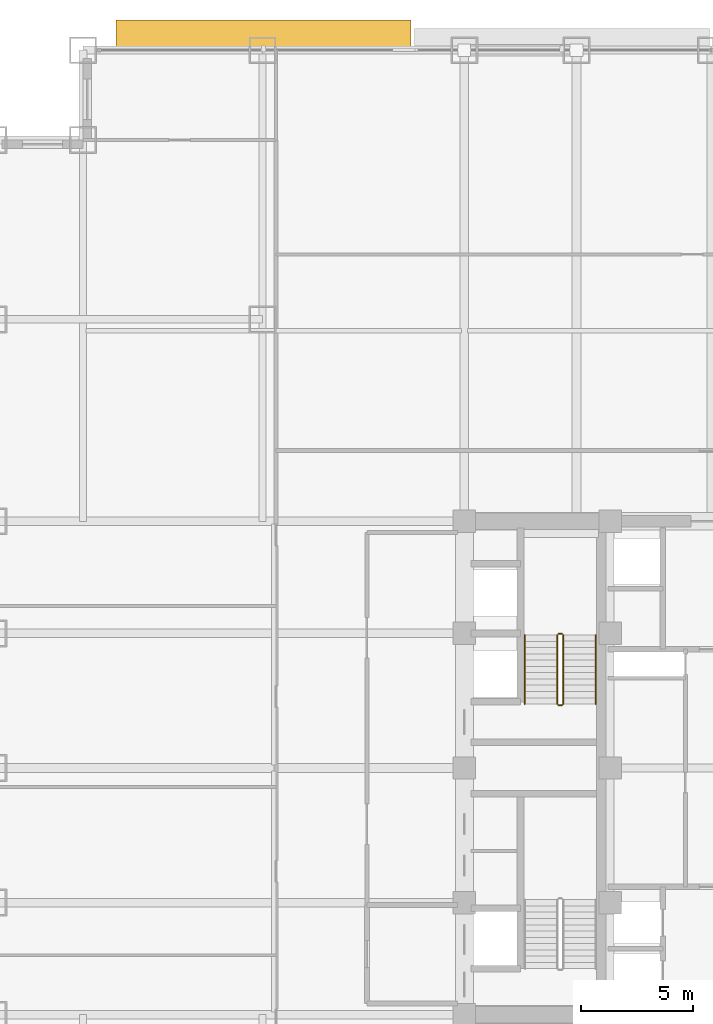
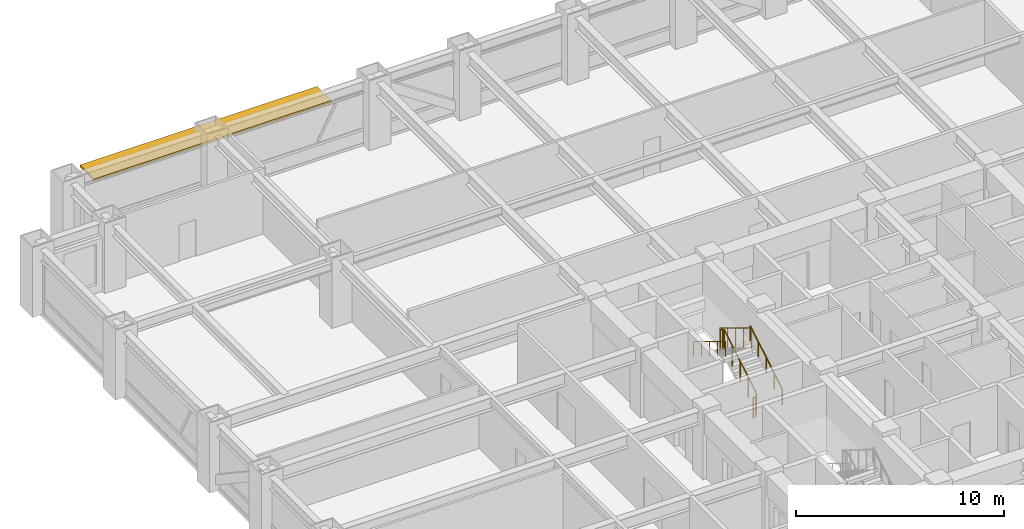
# One storey, part 31 of 32: 6 railings, 1 shading device.
"""IFC4 building model written with IfcOpenShell, lengths in metres."""

from ifc_helpers import new_model, si_unit, direction, frame, origin, origin_2d, place, context, subcontext, project, spatial, rectangle, circle, extrude, source, transform, mapped, material, layer, layer_set, type_object, element, save


model = new_model("IFC4")

# Units and contexts
model_context = context("Model", 3, precision=1e-05, world=origin(), true_north=direction((0.0, 1.0)))
body_context = subcontext(model_context, "Body", "Model", "MODEL_VIEW")
ifc_project = project(units=[si_unit("LENGTHUNIT", "METRE"), si_unit("AREAUNIT", "SQUARE_METRE"), si_unit("VOLUMEUNIT", "CUBIC_METRE"), si_unit("PLANEANGLEUNIT", "RADIAN"), si_unit("MASSUNIT", "GRAM", prefix="KILO")], contexts=[model_context])

# Site, building, storey
site_placement = place(None, origin())
site = spatial("IfcSite", under=ifc_project, at=site_placement, CompositionType="ELEMENT")
building_placement = place(site_placement, origin())
building = spatial("IfcBuilding", under=site, at=building_placement, Name="Khorayat Bourse Tower", CompositionType="ELEMENT")
storey_placement = place(building_placement, frame((0.0, 0.0, 99.60009765625)))
storey = spatial("IfcBuildingStorey", under=building, at=storey_placement, Name="L22", CompositionType="ELEMENT", Elevation=99.60009765625)

# Shading device
ifc_material_1 = material(Name="Precast concrete C45/55", Category="concrete")
ifc_layer = layer(ifc_material_1, 0.139892578125)
ifc_layer_set = layer_set([ifc_layer], Name="Precast concrete C45/55")
shading_device_type = type_object("IfcShadingDeviceType", Name="SHD-WAVE-TRAY-B", PredefinedType="USERDEFINED", material=ifc_layer_set)
shared_shape_1 = source(origin(), body_context, "Body", "SweptSolid", [
    extrude(rectangle(XDim=13.159912109375, YDim=1.3671875, at=origin_2d()), origin(), (0.0, 0.0, 1.0), 0.139892578125),
])
shading_device_placement = place(storey_placement, frame((-19.949951171875, 32.66357421875, 3.08984375), z_axis=(0.0, 0.0, 1.0), x_axis=(1.0, 0.0, 0.0)))
element("IfcShadingDevice", 1, at=shading_device_placement, inside=storey, type_object=shading_device_type, Name="L22 Sinusoidal Wave Sunshade Tray N-1", ObjectType="SUNSHADE", PredefinedType="USERDEFINED", context=body_context, shape_type="MappedRepresentation", body=[
    mapped(shared_shape_1, transform((0.0, 0.0, 0.0), scale=1.0)),
])

# Railings
ifc_material_2 = material(Name="Powder-coated steel balustrade", Category="steel")
railing_type_1 = type_object("IfcRailingType", Name="RLG-GUARD-1200", PredefinedType="GUARDRAIL", material=ifc_material_2)
shared_shape_2 = source(origin(), body_context, "Body", "SweptSolid", [
    extrude(circle(Radius=0.02392578125, at=origin_2d()), frame((0.0, 0.0, 1.17578125), z_axis=(-1.0, 0.0, 0.0), x_axis=(0.0, -1.0, 0.0)), (0.0, 0.0, 1.0), 0.150146484375),
    extrude(circle(Radius=0.02099609375, at=origin_2d()), origin(), (0.0, 0.0, 1.0), 1.15185546875),
    extrude(circle(Radius=0.02099609375, at=origin_2d()), frame((-0.150146484375, 0.0, 0.0)), (0.0, 0.0, 1.0), 1.15185546875),
])
for number, where, name in (
    (2, (-6.64990234375, 5.97998046875, 2.0498046875), "L22 ST-2 stair guard 2"),
    (3, (-6.64990234375, 2.800048828125, 0.0), "L22 ST-2 stair guard 4"),
):
    element("IfcRailing", number, at=place(storey_placement, frame(where)), inside=storey, type_object=railing_type_1, Name=name, PredefinedType="GUARDRAIL", context=body_context, shape_type="MappedRepresentation", body=[
        mapped(shared_shape_2, transform((0.0, 0.0, 0.0), scale=1.0)),
    ])
shared_shape_3 = source(origin(), body_context, "Body", "SweptSolid", [
    extrude(circle(Radius=0.02392578125, at=origin_2d()), frame((0.0, 0.0, 1.17578125), z_axis=(0.0, 0.853647949592, 0.520850437417), x_axis=(-1.0, 0.0, 0.0)), (0.0, 0.0, 1.0), 3.60791015625),
    extrude(circle(Radius=0.02099609375, at=origin_2d()), origin(), (0.0, 0.0, 1.0), 1.15185546875),
    extrude(circle(Radius=0.02099609375, at=origin_2d()), frame((0.0, 0.77001953125, 0.4697265625)), (0.0, 0.0, 1.0), 1.15185546875),
    extrude(circle(Radius=0.02099609375, at=origin_2d()), frame((0.0, 1.5400390625, 0.939453125)), (0.0, 0.0, 1.0), 1.15185546875),
    extrude(circle(Radius=0.02099609375, at=origin_2d()), frame((0.0, 2.309814453125, 1.409423828125)), (0.0, 0.0, 1.0), 1.15185546875),
    extrude(circle(Radius=0.02099609375, at=origin_2d()), frame((0.0, 3.079833984375, 1.879150390625)), (0.0, 0.0, 1.0), 1.15185546875),
])
railing_1_placement = place(storey_placement, frame((-6.60009765625, 2.85009765625, 0.170654296875)))
element("IfcRailing", 4, at=railing_1_placement, inside=storey, type_object=railing_type_1, Name="L22 ST-2 stair guard 1", PredefinedType="GUARDRAIL", context=body_context, shape_type="MappedRepresentation", body=[
    mapped(shared_shape_3, transform((0.0, 0.0, 0.0), scale=1.0)),
])
shared_shape_4 = source(origin(), body_context, "Body", "SweptSolid", [
    extrude(circle(Radius=0.02392578125, at=origin_2d()), frame((0.0, 0.0, 1.17578125), z_axis=(0.0, -0.853647949592, 0.520850437417), x_axis=(1.0, 0.0, 0.0)), (0.0, 0.0, 1.0), 3.60791015625),
    extrude(circle(Radius=0.02099609375, at=origin_2d()), origin(), (0.0, 0.0, 1.0), 1.15185546875),
    extrude(circle(Radius=0.02099609375, at=origin_2d()), frame((0.0, -0.77001953125, 0.4697265625)), (0.0, 0.0, 1.0), 1.15185546875),
    extrude(circle(Radius=0.02099609375, at=origin_2d()), frame((0.0, -1.5400390625, 0.939453125)), (0.0, 0.0, 1.0), 1.15185546875),
    extrude(circle(Radius=0.02099609375, at=origin_2d()), frame((0.0, -2.309814453125, 1.409423828125)), (0.0, 0.0, 1.0), 1.15185546875),
    extrude(circle(Radius=0.02099609375, at=origin_2d()), frame((0.0, -3.079833984375, 1.879150390625)), (0.0, 0.0, 1.0), 1.15185546875),
])
railing_2_placement = place(storey_placement, frame((-6.85009765625, 5.929931640625, 2.220703125)))
element("IfcRailing", 5, at=railing_2_placement, inside=storey, type_object=railing_type_1, Name="L22 ST-2 stair guard 3", PredefinedType="GUARDRAIL", context=body_context, shape_type="MappedRepresentation", body=[
    mapped(shared_shape_4, transform((0.0, 0.0, 0.0), scale=1.0)),
])
ifc_material_3 = material(Name="Brushed bronze stainless-steel handrail", Category="steel")
railing_type_2 = type_object("IfcRailingType", Name="RLG-HAND-900", PredefinedType="HANDRAIL", material=ifc_material_3)
shared_shape_5 = source(origin(), body_context, "Body", "SweptSolid", [
    extrude(circle(Radius=0.02392578125, at=origin_2d()), frame((0.0, 0.0, 0.8759765625), z_axis=(0.0, 0.853647949592, 0.520850437417), x_axis=(-1.0, 0.0, 0.0)), (0.0, 0.0, 1.0), 3.60791015625),
    extrude(circle(Radius=0.02099609375, at=origin_2d()), origin(), (0.0, 0.0, 1.0), 0.851806640625),
    extrude(circle(Radius=0.02099609375, at=origin_2d()), frame((0.0, 0.77001953125, 0.4697265625)), (0.0, 0.0, 1.0), 0.851806640625),
    extrude(circle(Radius=0.02099609375, at=origin_2d()), frame((0.0, 1.5400390625, 0.939453125)), (0.0, 0.0, 1.0), 0.851806640625),
    extrude(circle(Radius=0.02099609375, at=origin_2d()), frame((0.0, 2.309814453125, 1.409423828125)), (0.0, 0.0, 1.0), 0.851806640625),
    extrude(circle(Radius=0.02099609375, at=origin_2d()), frame((0.0, 3.079833984375, 1.879150390625)), (0.0, 0.0, 1.0), 0.851806640625),
])
railing_3_placement = place(storey_placement, frame((-5.14990234375, 2.85009765625, 0.170654296875)))
element("IfcRailing", 6, at=railing_3_placement, inside=storey, type_object=railing_type_2, Name="L22 ST-2 stair handrail 1", PredefinedType="HANDRAIL", context=body_context, shape_type="MappedRepresentation", body=[
    mapped(shared_shape_5, transform((0.0, 0.0, 0.0), scale=1.0)),
])
shared_shape_6 = source(origin(), body_context, "Body", "SweptSolid", [
    extrude(circle(Radius=0.02392578125, at=origin_2d()), frame((0.0, 0.0, 0.8759765625), z_axis=(0.0, -0.853647949592, 0.520850437417), x_axis=(1.0, 0.0, 0.0)), (0.0, 0.0, 1.0), 3.60791015625),
    extrude(circle(Radius=0.02099609375, at=origin_2d()), origin(), (0.0, 0.0, 1.0), 0.851806640625),
    extrude(circle(Radius=0.02099609375, at=origin_2d()), frame((0.0, -0.77001953125, 0.4697265625)), (0.0, 0.0, 1.0), 0.851806640625),
    extrude(circle(Radius=0.02099609375, at=origin_2d()), frame((0.0, -1.5400390625, 0.939453125)), (0.0, 0.0, 1.0), 0.851806640625),
    extrude(circle(Radius=0.02099609375, at=origin_2d()), frame((0.0, -2.309814453125, 1.409423828125)), (0.0, 0.0, 1.0), 0.851806640625),
    extrude(circle(Radius=0.02099609375, at=origin_2d()), frame((0.0, -3.079833984375, 1.879150390625)), (0.0, 0.0, 1.0), 0.851806640625),
])
railing_4_placement = place(storey_placement, frame((-8.300048828125, 5.929931640625, 2.220703125)))
element("IfcRailing", 7, at=railing_4_placement, inside=storey, type_object=railing_type_2, Name="L22 ST-2 stair handrail 2", PredefinedType="HANDRAIL", context=body_context, shape_type="MappedRepresentation", body=[
    mapped(shared_shape_6, transform((0.0, 0.0, 0.0), scale=1.0)),
])

save(model, "model.ifc")
